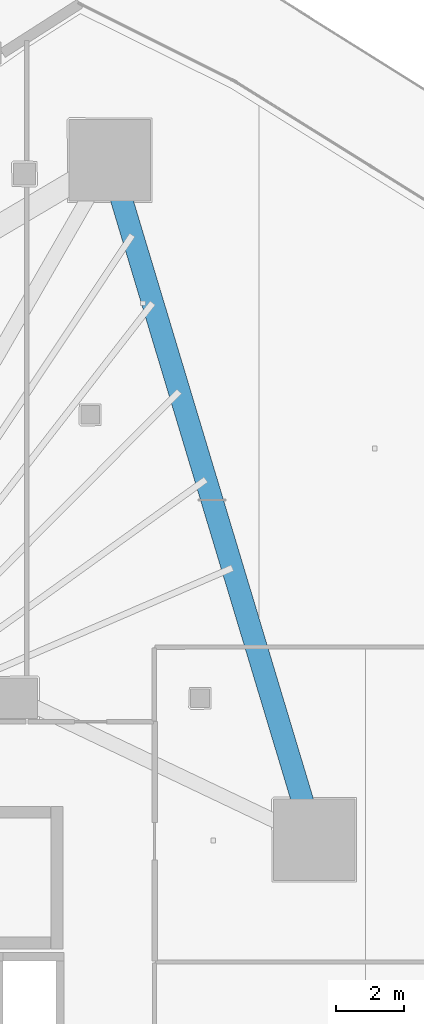
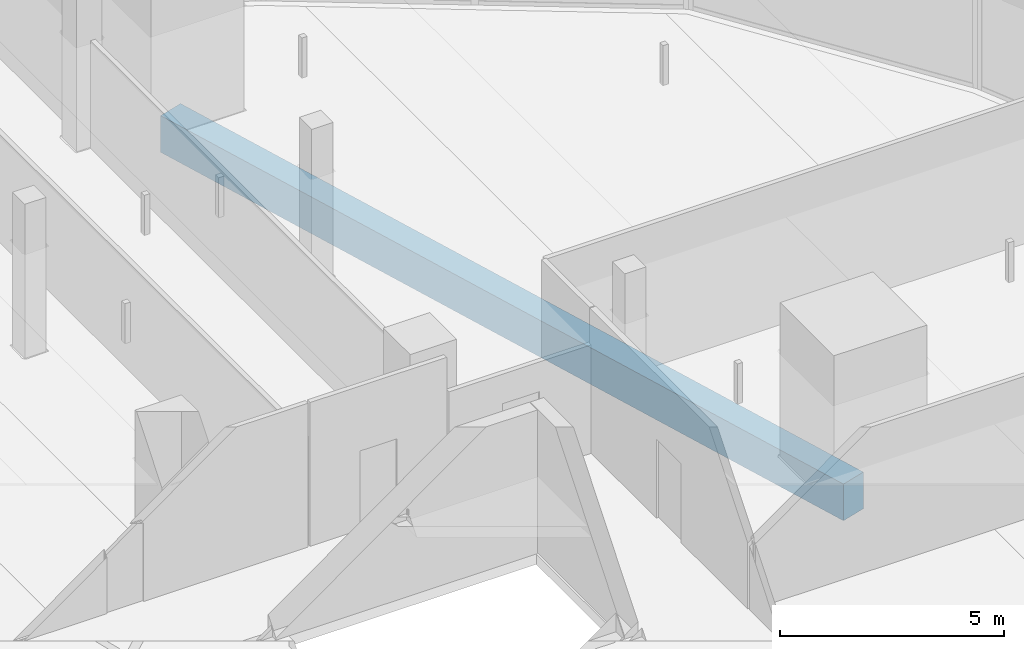
# One storey, part 23 of 46: 1 beam.
"""IFC4 building model written with IfcOpenShell, lengths in metres."""

from ifc_helpers import new_model, si_unit, direction, frame, origin, origin_2d, place, context, subcontext, project, spatial, rectangle, extrude, material, material_profile, profile_set, type_object, element, save


model = new_model("IFC4")

# Units and contexts
model_context = context("Model", 3, precision=1e-05, world=origin(), true_north=direction((0.0, 1.0)))
body_context = subcontext(model_context, "Body", "Model", "MODEL_VIEW")
ifc_project = project(units=[si_unit("LENGTHUNIT", "METRE"), si_unit("AREAUNIT", "SQUARE_METRE"), si_unit("VOLUMEUNIT", "CUBIC_METRE"), si_unit("PLANEANGLEUNIT", "RADIAN"), si_unit("MASSUNIT", "GRAM", prefix="KILO")], contexts=[model_context])

# Site, building, storey
site_placement = place(None, origin())
site = spatial("IfcSite", under=ifc_project, at=site_placement, CompositionType="ELEMENT")
building_placement = place(site_placement, origin())
building = spatial("IfcBuilding", under=site, at=building_placement, Name="Qorvath Tower", CompositionType="ELEMENT")
storey_placement = place(building_placement, frame((0.0, 0.0, 87.0)))
storey = spatial("IfcBuildingStorey", under=building, at=storey_placement, Name="L19", CompositionType="ELEMENT", Elevation=87.0)

# Beam
ifc_material = material(Name="Concrete C50/60", Category="concrete")
ifc_material_profile = material_profile(ifc_material, rectangle(XDim=0.64990234375, YDim=1.0, at=origin_2d()), Name="RCB 1000x650")
ifc_profile_set = profile_set([ifc_material_profile], Name="Concrete C50/60")
beam_type = type_object("IfcBeamType", Name="BM-RCB1", PredefinedType="SPANDREL", material=ifc_profile_set)
beam_placement = place(storey_placement, frame((-8.430419921875, 7.2763671875, -0.780029296875), z_axis=(-0.288118908799, 0.957594639914, 0.0), x_axis=(-0.957594639914, -0.288118908799, 0.0)))
element("IfcBeam", 1, at=beam_placement, inside=storey, type_object=beam_type, Name="Perimeter Loggia Frame Beam MC5-MC6 L19", PredefinedType="SPANDREL", context=body_context, shape_type="SweptSolid", body=[
    extrude(rectangle(XDim=0.64990234375, YDim=1.0, at=origin_2d()), origin(), (0.0, 0.0, 1.0), 20.942626953125),
])

save(model, "model.ifc")
